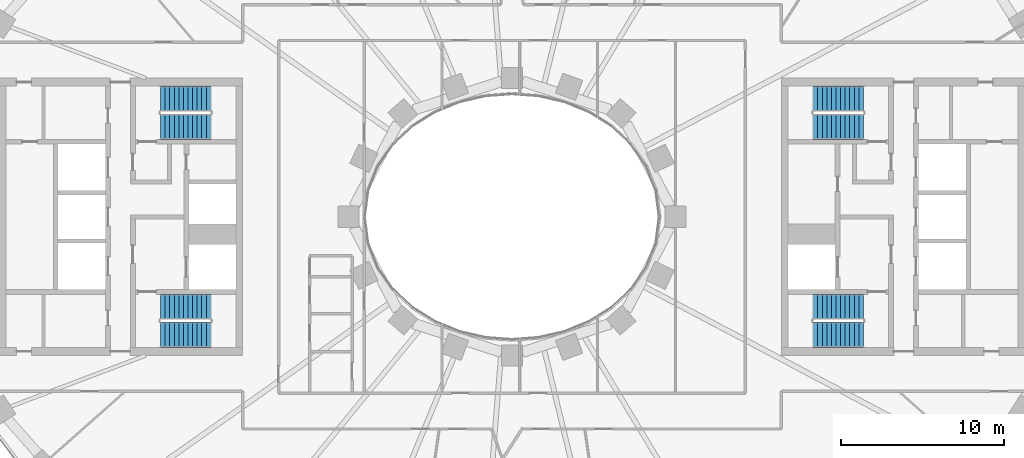
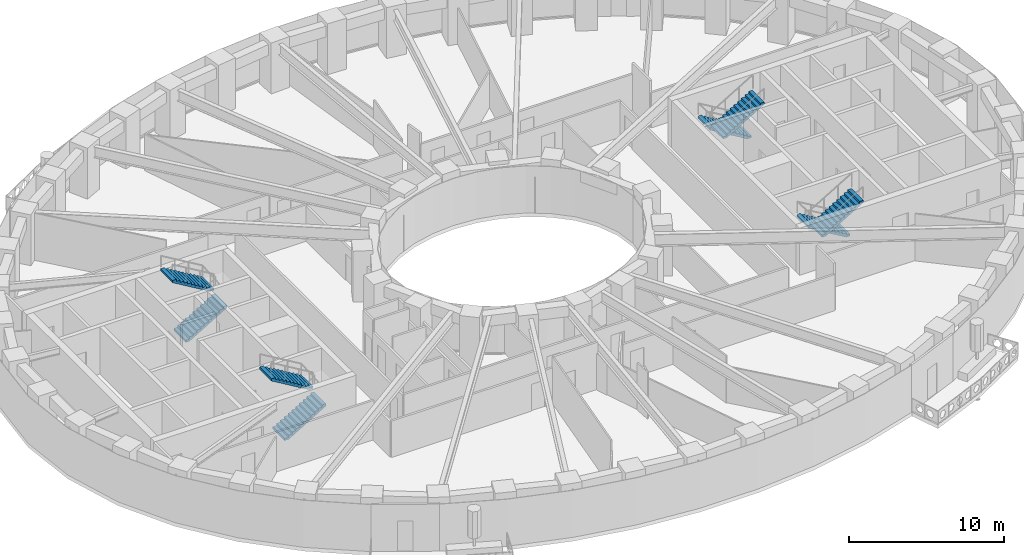
# One storey, part 7 of 15: 8 stair flights, 4 elements without a shape of their own.
"""IFC4 building model written with IfcOpenShell, lengths in metres."""

from ifc_helpers import new_model, si_unit, direction, frame, origin, place, context, subcontext, project, spatial, polyline, outline, extrude, material, type_object, element, aggregate, save


model = new_model("IFC4")

# Units and contexts
model_context = context("Model", 3, precision=1e-05, world=origin(), true_north=direction((0.0, 1.0)))
body_context = subcontext(model_context, "Body", "Model", "MODEL_VIEW")
ifc_project = project(units=[si_unit("LENGTHUNIT", "METRE"), si_unit("AREAUNIT", "SQUARE_METRE"), si_unit("VOLUMEUNIT", "CUBIC_METRE"), si_unit("PLANEANGLEUNIT", "RADIAN"), si_unit("MASSUNIT", "GRAM", prefix="KILO")], contexts=[model_context])

# Site, building, storey
site_placement = place(None, origin())
site = spatial("IfcSite", under=ifc_project, at=site_placement, CompositionType="ELEMENT")
building_placement = place(site_placement, origin())
building = spatial("IfcBuilding", under=site, at=building_placement, Name="Noorbagh Ring Tower", CompositionType="ELEMENT")
storey_placement = place(building_placement, frame((0.0, 0.0, 62.5)))
storey = spatial("IfcBuildingStorey", under=building, at=storey_placement, Name="L13", CompositionType="ELEMENT", Elevation=62.5)

# Stair, stair flights
ifc_material_1 = material(Name="Concrete C40/50", Category="concrete")
stair_type = type_object("IfcStairType", Name="CORE-STAIR", PredefinedType="HALF_TURN_STAIR", material=ifc_material_1)
stair_1_placement = place(storey_placement, origin())
stair_1 = element("IfcStair", 1, at=stair_1_placement, inside=storey, type_object=stair_type, Name="L13 Exit stair ST1", PredefinedType="HALF_TURN_STAIR")
ifc_material_2 = material(Name="Concrete C40/50", Category="concrete")
stair_flight_type = type_object("IfcStairFlightType", Name="CORE-STAIR-FLIGHT", PredefinedType="STRAIGHT", material=ifc_material_2)
stair_flight_1_placement = place(storey_placement, frame((-21.530029296875, 5.52490234375, 0.0), z_axis=(0.0, 0.0, 1.0), x_axis=(1.0, 0.0, 0.0)))
stair_flight_1 = element("IfcStairFlight", 2, at=stair_flight_1_placement, type_object=stair_flight_type, Name="ST1 flight 1", NumberOfRisers=12, NumberOfTreads=11, PredefinedType="STRAIGHT", RiserHeight=0.166666667, TreadLength=0.28, context=body_context, shape_type="SweptSolid", body=[
    extrude(outline(polyline([(0.0, 0.0), (0.0, 0.166748046875), (0.280029296875, 0.166748046875), (0.280029296875, 0.333251953125), (0.56005859375, 0.333251953125), (0.56005859375, 0.5), (0.840087890625, 0.5), (0.840087890625, 0.666748046875), (1.1201171875, 0.666748046875), (1.1201171875, 0.833251953125), (1.39990234375, 0.833251953125), (1.39990234375, 1.0), (1.679931640625, 1.0), (1.679931640625, 1.166748046875), (1.9599609375, 1.166748046875), (1.9599609375, 1.333251953125), (2.239990234375, 1.333251953125), (2.239990234375, 1.5), (2.52001953125, 1.5), (2.52001953125, 1.666748046875), (2.800048828125, 1.666748046875), (2.800048828125, 1.833251953125), (3.080078125, 1.833251953125), (3.080078125, 2.0), (3.080078125, 1.658935546875), (0.29296875, 0.0), (0.0, 0.0)])), frame((0.0, 0.77490234375, 0.0), z_axis=(0.0, -1.0, 0.0), x_axis=(1.0, 0.0, 0.0)), (0.0, 0.0, 1.0), 1.550048828125),
])
stair_flight_2_placement = place(storey_placement, frame((-18.449951171875, 7.22509765625, 2.0), z_axis=(0.0, 0.0, 1.0), x_axis=(-1.0, 0.0, 0.0)))
stair_flight_2 = element("IfcStairFlight", 3, at=stair_flight_2_placement, type_object=stair_flight_type, Name="ST1 flight 2", NumberOfRisers=12, NumberOfTreads=11, PredefinedType="STRAIGHT", RiserHeight=0.166666667, TreadLength=0.28, context=body_context, shape_type="SweptSolid", body=[
    extrude(outline(polyline([(0.0, 0.0), (0.0, 0.166748046875), (0.280029296875, 0.166748046875), (0.280029296875, 0.333251953125), (0.56005859375, 0.333251953125), (0.56005859375, 0.5), (0.840087890625, 0.5), (0.840087890625, 0.666748046875), (1.1201171875, 0.666748046875), (1.1201171875, 0.833251953125), (1.39990234375, 0.833251953125), (1.39990234375, 1.0), (1.679931640625, 1.0), (1.679931640625, 1.166748046875), (1.9599609375, 1.166748046875), (1.9599609375, 1.333251953125), (2.239990234375, 1.333251953125), (2.239990234375, 1.5), (2.52001953125, 1.5), (2.52001953125, 1.666748046875), (2.800048828125, 1.666748046875), (2.800048828125, 1.833251953125), (3.080078125, 1.833251953125), (3.080078125, 2.0), (3.080078125, 1.658935546875), (0.29296875, 0.0), (0.0, 0.0)])), frame((0.0, 0.77490234375, 0.0), z_axis=(0.0, -1.0, 0.0), x_axis=(1.0, 0.0, 0.0)), (0.0, 0.0, 1.0), 1.550048828125),
])
aggregate(stair_1, [stair_flight_1, stair_flight_2])

stair_2_placement = place(storey_placement, origin())
stair_2 = element("IfcStair", 4, at=stair_2_placement, inside=storey, type_object=stair_type, Name="L13 Exit stair ST2", PredefinedType="HALF_TURN_STAIR")
stair_flight_3_placement = place(storey_placement, frame((-21.530029296875, -7.22509765625, 0.0), z_axis=(0.0, 0.0, 1.0), x_axis=(1.0, 0.0, 0.0)))
stair_flight_3 = element("IfcStairFlight", 5, at=stair_flight_3_placement, type_object=stair_flight_type, Name="ST2 flight 1", NumberOfRisers=12, NumberOfTreads=11, PredefinedType="STRAIGHT", RiserHeight=0.166666667, TreadLength=0.28, context=body_context, shape_type="SweptSolid", body=[
    extrude(outline(polyline([(0.0, 0.0), (0.0, 0.166748046875), (0.280029296875, 0.166748046875), (0.280029296875, 0.333251953125), (0.56005859375, 0.333251953125), (0.56005859375, 0.5), (0.840087890625, 0.5), (0.840087890625, 0.666748046875), (1.1201171875, 0.666748046875), (1.1201171875, 0.833251953125), (1.39990234375, 0.833251953125), (1.39990234375, 1.0), (1.679931640625, 1.0), (1.679931640625, 1.166748046875), (1.9599609375, 1.166748046875), (1.9599609375, 1.333251953125), (2.239990234375, 1.333251953125), (2.239990234375, 1.5), (2.52001953125, 1.5), (2.52001953125, 1.666748046875), (2.800048828125, 1.666748046875), (2.800048828125, 1.833251953125), (3.080078125, 1.833251953125), (3.080078125, 2.0), (3.080078125, 1.658935546875), (0.29296875, 0.0), (0.0, 0.0)])), frame((0.0, 0.77490234375, 0.0), z_axis=(0.0, -1.0, 0.0), x_axis=(1.0, 0.0, 0.0)), (0.0, 0.0, 1.0), 1.550048828125),
])
stair_flight_4_placement = place(storey_placement, frame((-18.449951171875, -5.52490234375, 2.0), z_axis=(0.0, 0.0, 1.0), x_axis=(-1.0, 0.0, 0.0)))
stair_flight_4 = element("IfcStairFlight", 6, at=stair_flight_4_placement, type_object=stair_flight_type, Name="ST2 flight 2", NumberOfRisers=12, NumberOfTreads=11, PredefinedType="STRAIGHT", RiserHeight=0.166666667, TreadLength=0.28, context=body_context, shape_type="SweptSolid", body=[
    extrude(outline(polyline([(0.0, 0.0), (0.0, 0.166748046875), (0.280029296875, 0.166748046875), (0.280029296875, 0.333251953125), (0.56005859375, 0.333251953125), (0.56005859375, 0.5), (0.840087890625, 0.5), (0.840087890625, 0.666748046875), (1.1201171875, 0.666748046875), (1.1201171875, 0.833251953125), (1.39990234375, 0.833251953125), (1.39990234375, 1.0), (1.679931640625, 1.0), (1.679931640625, 1.166748046875), (1.9599609375, 1.166748046875), (1.9599609375, 1.333251953125), (2.239990234375, 1.333251953125), (2.239990234375, 1.5), (2.52001953125, 1.5), (2.52001953125, 1.666748046875), (2.800048828125, 1.666748046875), (2.800048828125, 1.833251953125), (3.080078125, 1.833251953125), (3.080078125, 2.0), (3.080078125, 1.658935546875), (0.29296875, 0.0), (0.0, 0.0)])), frame((0.0, 0.77490234375, 0.0), z_axis=(0.0, -1.0, 0.0), x_axis=(1.0, 0.0, 0.0)), (0.0, 0.0, 1.0), 1.550048828125),
])
aggregate(stair_2, [stair_flight_3, stair_flight_4])

stair_3_placement = place(storey_placement, origin())
stair_3 = element("IfcStair", 7, at=stair_3_placement, inside=storey, type_object=stair_type, Name="L13 Exit stair ST3", PredefinedType="HALF_TURN_STAIR")
stair_flight_5_placement = place(storey_placement, frame((21.530029296875, 7.22509765625, 0.0), z_axis=(0.0, 0.0, 1.0), x_axis=(-1.0, 0.0, 0.0)))
stair_flight_5 = element("IfcStairFlight", 8, at=stair_flight_5_placement, type_object=stair_flight_type, Name="ST3 flight 1", NumberOfRisers=12, NumberOfTreads=11, PredefinedType="STRAIGHT", RiserHeight=0.166666667, TreadLength=0.28, context=body_context, shape_type="SweptSolid", body=[
    extrude(outline(polyline([(0.0, 0.0), (0.0, 0.166748046875), (0.280029296875, 0.166748046875), (0.280029296875, 0.333251953125), (0.56005859375, 0.333251953125), (0.56005859375, 0.5), (0.840087890625, 0.5), (0.840087890625, 0.666748046875), (1.1201171875, 0.666748046875), (1.1201171875, 0.833251953125), (1.39990234375, 0.833251953125), (1.39990234375, 1.0), (1.679931640625, 1.0), (1.679931640625, 1.166748046875), (1.9599609375, 1.166748046875), (1.9599609375, 1.333251953125), (2.239990234375, 1.333251953125), (2.239990234375, 1.5), (2.52001953125, 1.5), (2.52001953125, 1.666748046875), (2.800048828125, 1.666748046875), (2.800048828125, 1.833251953125), (3.080078125, 1.833251953125), (3.080078125, 2.0), (3.080078125, 1.658935546875), (0.29296875, 0.0), (0.0, 0.0)])), frame((0.0, 0.77490234375, 0.0), z_axis=(0.0, -1.0, 0.0), x_axis=(1.0, 0.0, 0.0)), (0.0, 0.0, 1.0), 1.550048828125),
])
stair_flight_6_placement = place(storey_placement, frame((18.449951171875, 5.52490234375, 2.0), z_axis=(0.0, 0.0, 1.0), x_axis=(1.0, 0.0, 0.0)))
stair_flight_6 = element("IfcStairFlight", 9, at=stair_flight_6_placement, type_object=stair_flight_type, Name="ST3 flight 2", NumberOfRisers=12, NumberOfTreads=11, PredefinedType="STRAIGHT", RiserHeight=0.166666667, TreadLength=0.28, context=body_context, shape_type="SweptSolid", body=[
    extrude(outline(polyline([(0.0, 0.0), (0.0, 0.166748046875), (0.280029296875, 0.166748046875), (0.280029296875, 0.333251953125), (0.56005859375, 0.333251953125), (0.56005859375, 0.5), (0.840087890625, 0.5), (0.840087890625, 0.666748046875), (1.1201171875, 0.666748046875), (1.1201171875, 0.833251953125), (1.39990234375, 0.833251953125), (1.39990234375, 1.0), (1.679931640625, 1.0), (1.679931640625, 1.166748046875), (1.9599609375, 1.166748046875), (1.9599609375, 1.333251953125), (2.239990234375, 1.333251953125), (2.239990234375, 1.5), (2.52001953125, 1.5), (2.52001953125, 1.666748046875), (2.800048828125, 1.666748046875), (2.800048828125, 1.833251953125), (3.080078125, 1.833251953125), (3.080078125, 2.0), (3.080078125, 1.658935546875), (0.29296875, 0.0), (0.0, 0.0)])), frame((0.0, 0.77490234375, 0.0), z_axis=(0.0, -1.0, 0.0), x_axis=(1.0, 0.0, 0.0)), (0.0, 0.0, 1.0), 1.550048828125),
])
aggregate(stair_3, [stair_flight_5, stair_flight_6])

stair_4_placement = place(storey_placement, origin())
stair_4 = element("IfcStair", 10, at=stair_4_placement, inside=storey, type_object=stair_type, Name="L13 Exit stair ST4", PredefinedType="HALF_TURN_STAIR")
stair_flight_7_placement = place(storey_placement, frame((21.530029296875, -5.52490234375, 0.0), z_axis=(0.0, 0.0, 1.0), x_axis=(-1.0, 0.0, 0.0)))
stair_flight_7 = element("IfcStairFlight", 11, at=stair_flight_7_placement, type_object=stair_flight_type, Name="ST4 flight 1", NumberOfRisers=12, NumberOfTreads=11, PredefinedType="STRAIGHT", RiserHeight=0.166666667, TreadLength=0.28, context=body_context, shape_type="SweptSolid", body=[
    extrude(outline(polyline([(0.0, 0.0), (0.0, 0.166748046875), (0.280029296875, 0.166748046875), (0.280029296875, 0.333251953125), (0.56005859375, 0.333251953125), (0.56005859375, 0.5), (0.840087890625, 0.5), (0.840087890625, 0.666748046875), (1.1201171875, 0.666748046875), (1.1201171875, 0.833251953125), (1.39990234375, 0.833251953125), (1.39990234375, 1.0), (1.679931640625, 1.0), (1.679931640625, 1.166748046875), (1.9599609375, 1.166748046875), (1.9599609375, 1.333251953125), (2.239990234375, 1.333251953125), (2.239990234375, 1.5), (2.52001953125, 1.5), (2.52001953125, 1.666748046875), (2.800048828125, 1.666748046875), (2.800048828125, 1.833251953125), (3.080078125, 1.833251953125), (3.080078125, 2.0), (3.080078125, 1.658935546875), (0.29296875, 0.0), (0.0, 0.0)])), frame((0.0, 0.77490234375, 0.0), z_axis=(0.0, -1.0, 0.0), x_axis=(1.0, 0.0, 0.0)), (0.0, 0.0, 1.0), 1.550048828125),
])
stair_flight_8_placement = place(storey_placement, frame((18.449951171875, -7.22509765625, 2.0), z_axis=(0.0, 0.0, 1.0), x_axis=(1.0, 0.0, 0.0)))
stair_flight_8 = element("IfcStairFlight", 12, at=stair_flight_8_placement, type_object=stair_flight_type, Name="ST4 flight 2", NumberOfRisers=12, NumberOfTreads=11, PredefinedType="STRAIGHT", RiserHeight=0.166666667, TreadLength=0.28, context=body_context, shape_type="SweptSolid", body=[
    extrude(outline(polyline([(0.0, 0.0), (0.0, 0.166748046875), (0.280029296875, 0.166748046875), (0.280029296875, 0.333251953125), (0.56005859375, 0.333251953125), (0.56005859375, 0.5), (0.840087890625, 0.5), (0.840087890625, 0.666748046875), (1.1201171875, 0.666748046875), (1.1201171875, 0.833251953125), (1.39990234375, 0.833251953125), (1.39990234375, 1.0), (1.679931640625, 1.0), (1.679931640625, 1.166748046875), (1.9599609375, 1.166748046875), (1.9599609375, 1.333251953125), (2.239990234375, 1.333251953125), (2.239990234375, 1.5), (2.52001953125, 1.5), (2.52001953125, 1.666748046875), (2.800048828125, 1.666748046875), (2.800048828125, 1.833251953125), (3.080078125, 1.833251953125), (3.080078125, 2.0), (3.080078125, 1.658935546875), (0.29296875, 0.0), (0.0, 0.0)])), frame((0.0, 0.77490234375, 0.0), z_axis=(0.0, -1.0, 0.0), x_axis=(1.0, 0.0, 0.0)), (0.0, 0.0, 1.0), 1.550048828125),
])
aggregate(stair_4, [stair_flight_7, stair_flight_8])

save(model, "model.ifc")
